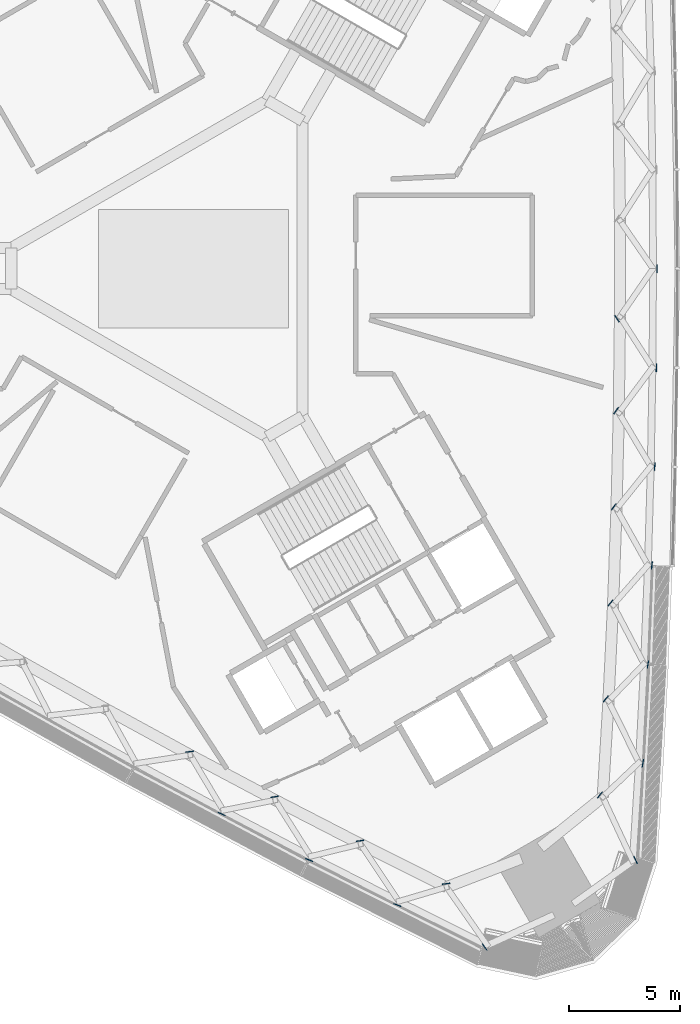
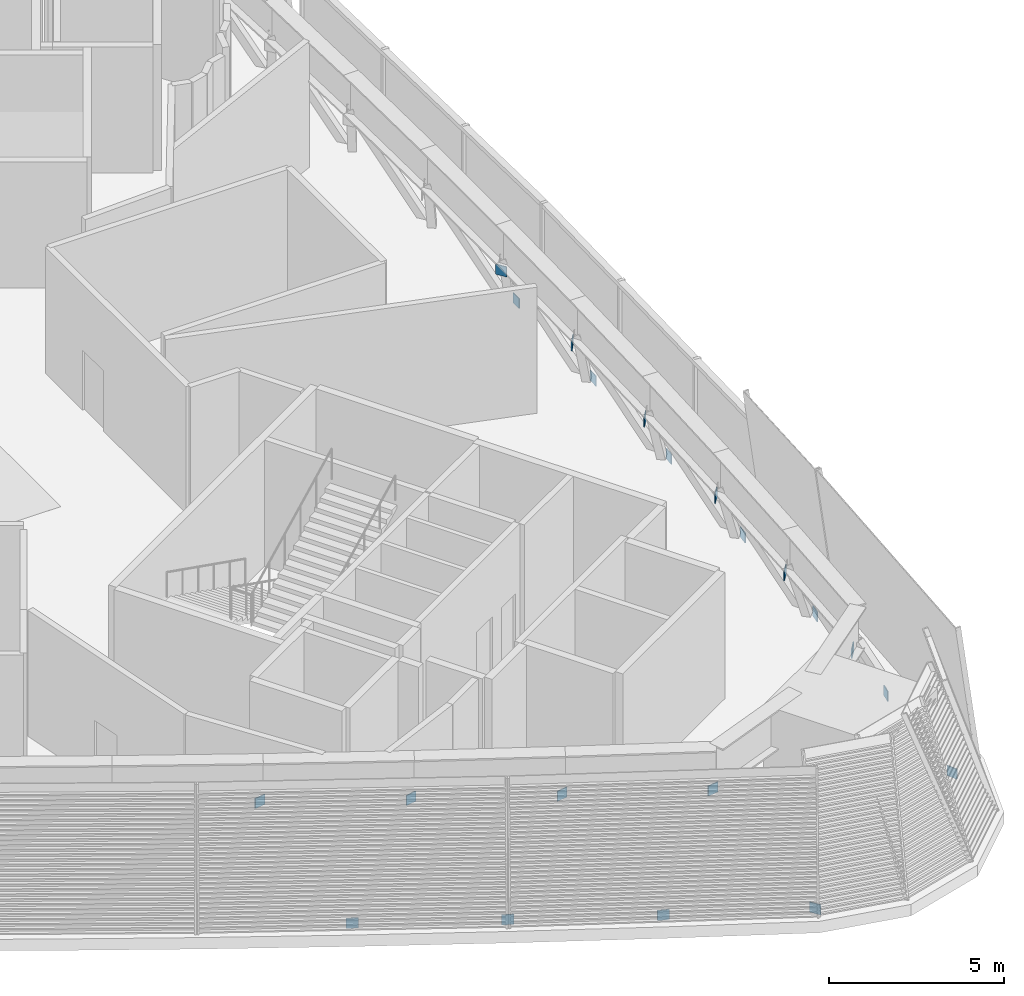
# One storey, part 7 of 17: 21 plates.
"""IFC4 building model written with IfcOpenShell, lengths in metres."""

from ifc_helpers import new_model, si_unit, direction, frame, origin, origin_2d, place, context, subcontext, project, spatial, rectangle, extrude, material, layer, layer_set, type_object, element, save


model = new_model("IFC4")

# Units and contexts
model_context = context("Model", 3, precision=1e-05, world=origin(), true_north=direction((0.0, 1.0)))
body_context = subcontext(model_context, "Body", "Model", "MODEL_VIEW")
ifc_project = project(units=[si_unit("LENGTHUNIT", "METRE"), si_unit("AREAUNIT", "SQUARE_METRE"), si_unit("VOLUMEUNIT", "CUBIC_METRE"), si_unit("PLANEANGLEUNIT", "RADIAN"), si_unit("MASSUNIT", "GRAM", prefix="KILO")], contexts=[model_context])

# Site, building, storey
site_placement = place(None, origin())
site = spatial("IfcSite", under=ifc_project, at=site_placement, CompositionType="ELEMENT")
building_placement = place(site_placement, origin())
building = spatial("IfcBuilding", under=site, at=building_placement, Name="Tamra Quay Hotel Tower", CompositionType="ELEMENT")
storey_placement = place(building_placement, frame((0.0, 0.0, 119.0)))
storey = spatial("IfcBuildingStorey", under=building, at=storey_placement, Name="L29", CompositionType="ELEMENT", Elevation=119.0)

# Plates
ifc_material = material(Name="Structural steel IS 2062 E350", Category="steel")
ifc_layer = layer(ifc_material, 0.030029296875)
ifc_layer_set = layer_set([ifc_layer], Name="BRACE END PLATE 30")
plate_type = type_object("IfcPlateType", Name="BRACE END PLATE 30", PredefinedType="SHEET", material=ifc_layer_set)
for number, where, z_axis, x_axis, name in (
    (1, (19.873291015625, -26.58935546875, -0.400146484375), (0.0, 0.0, 1.0), (0.906149875709, 0.42295673863, 0.0), "BEP-L29-001"),
    (2, (20.200439453125, -22.243408203125, -0.400146484375), (0.0, 0.0, 1.0), (-0.984536524081, 0.17517943016, 0.0), "BEP-L29-002"),
    (3, (20.428955078125, -17.798095703125, -0.400146484375), (0.0, 0.0, 1.0), (-0.990221132304, 0.139506663417, 0.0), "BEP-L29-003"),
    (4, (20.6064453125, -13.350341796875, -0.400146484375), (0.0, 0.0, 1.0), (-0.994551046444, 0.104250736291, 0.0), "BEP-L29-004"),
    (5, (20.7333984375, -8.901123046875, -0.400146484375), (0.0, 0.0, 1.0), (-0.997599108535, 0.069253293431, 0.0), "BEP-L29-005"),
    (6, (20.80908203125, -4.450927734375, -0.400146484375), (0.0, 0.0, 1.0), (-0.999402103825, 0.034575061385, 0.0), "BEP-L29-006"),
    (7, (20.833984375, 0.0, -0.400146484375), (0.0, 0.0, 1.0), (1.0, 0.0, 0.0), "BEP-L29-007"),
    (8, (1.258544921875, -24.52099609375, -0.400146484375), (0.0, 0.0, 1.0), (0.406991737231, 0.913431839726, 0.0), "BEP-L29-036"),
    (9, (5.19921875, -26.5908203125, -0.400146484375), (0.0, 0.0, 1.0), (0.374282922379, 0.927314560446, 0.0), "BEP-L29-037"),
    (10, (9.1630859375, -28.615966796875, -0.400146484375), (0.0, 0.0, 1.0), (0.340555143301, 0.940224544655, 0.0), "BEP-L29-038"),
    (11, (13.090576171875, -30.50537109375, -0.400146484375), (0.0, 0.0, 1.0), (0.819372221439, 0.573261862271, 0.0), "BEP-L29-039"),
    (12, (18.274169921875, -23.662353515625, 2.64990234375), (0.0, 0.0, 1.0), (-0.790794277209, 0.612082029743, 0.0), "BEP-L29-040"),
    (13, (18.534912109375, -19.346435546875, 2.64990234375), (0.0, 0.0, 1.0), (-0.780220842698, 0.625504145965, 0.0), "BEP-L29-041"),
    (14, (18.74462890625, -15.027587890625, 2.64990234375), (0.0, 0.0, 1.0), (-0.768926643711, 0.639337013313, 0.0), "BEP-L29-042"),
    (15, (18.89501953125, -10.711181640625, 2.64990234375), (0.0, 0.0, 1.0), (-0.790257694846, 0.612774653307, 0.0), "BEP-L29-043"),
    (16, (18.993896484375, -6.393310546875, 2.64990234375), (0.0, 0.0, 1.0), (-0.810421156761, 0.585847717989, 0.0), "BEP-L29-044"),
    (17, (19.038330078125, -2.25390625, 2.64990234375), (0.0, 0.0, 1.0), (0.818696294766, 0.574226764385, 0.0), "BEP-L29-045"),
    (18, (-0.17138671875, -21.718994140625, 2.64990234375), (0.0, 0.0, 1.0), (-0.135551298357, 0.990770329347, 0.0), "BEP-L29-072"),
    (19, (3.64208984375, -23.747314453125, 2.64990234375), (0.0, 0.0, 1.0), (-0.169223933728, 0.985577627716, 0.0), "BEP-L29-073"),
    (20, (7.487060546875, -25.72509765625, 2.64990234375), (0.0, 0.0, 1.0), (-0.151592059229, 0.988443143321, 0.0), "BEP-L29-074"),
    (21, (11.35498046875, -27.656982421875, 2.64990234375), (0.0, 0.0, 1.0), (-0.134686636633, 0.990888242897, 0.0), "BEP-L29-075"),
):
    element("IfcPlate", number, at=place(storey_placement, frame(where, z_axis=z_axis, x_axis=x_axis)), inside=storey, type_object=plate_type, Name=name, PredefinedType="SHEET", context=body_context, shape_type="SweptSolid", body=[
        extrude(rectangle(XDim=0.030029296875, YDim=0.35009765625, at=origin_2d()), origin(), (0.0, 0.0, 1.0), 0.35009765625),
    ])

save(model, "model.ifc")
